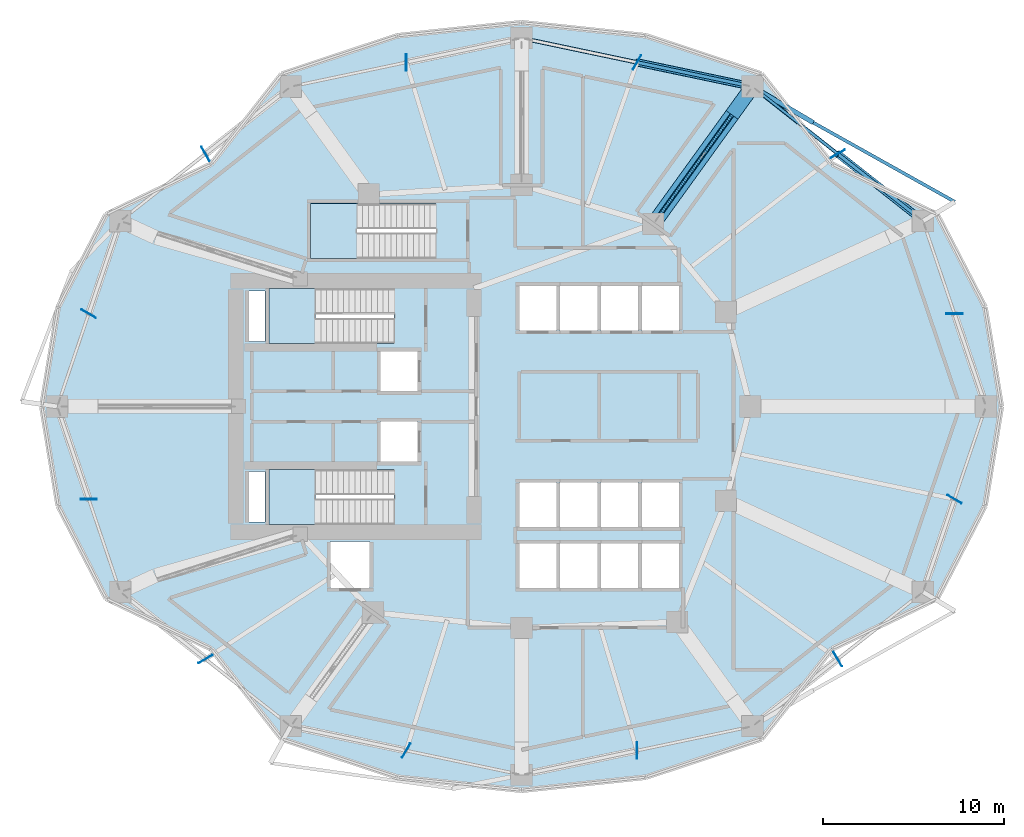
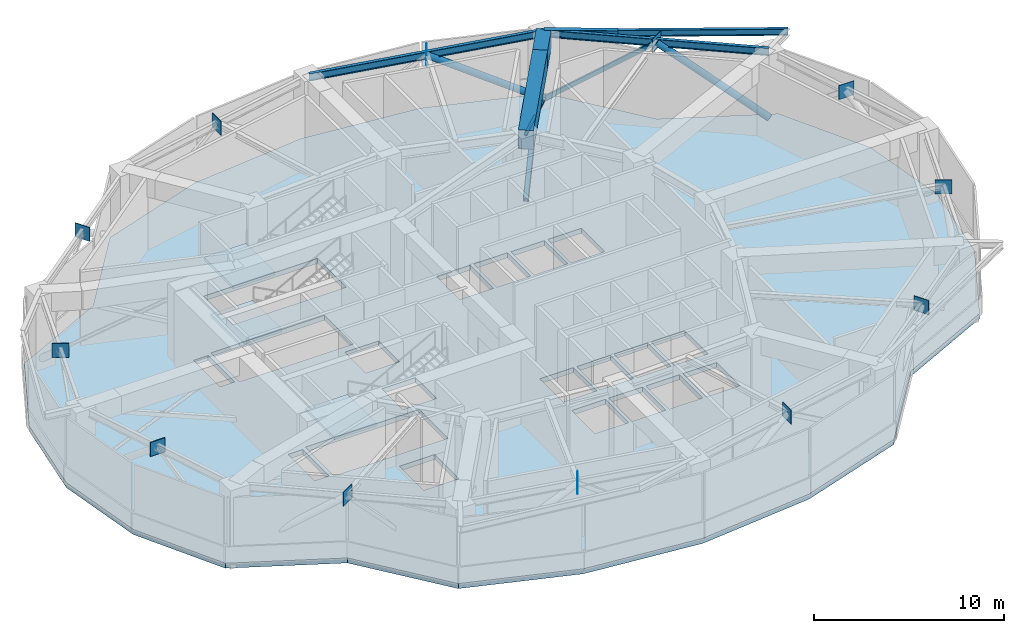
# One storey, part 3 of 12: 12 plates, 6 beams, 6 members, 4 slabs, 3 elements without a shape of their own.
"""IFC4 building model written with IfcOpenShell, lengths in metres."""

from ifc_helpers import new_model, si_unit, direction, frame, origin, origin_2d, place, context, subcontext, project, spatial, polyline, rectangle, hollow_rectangle, hollow_circle, i_section, outline, extrude, material, layer, layer_set, material_profile, profile_set, type_object, element, aggregate, save


model = new_model("IFC4")

# Units and contexts
model_context = context("Model", 3, precision=1e-05, world=origin(), true_north=direction((0.0, 1.0)))
body_context = subcontext(model_context, "Body", "Model", "MODEL_VIEW")
ifc_project = project(units=[si_unit("LENGTHUNIT", "METRE"), si_unit("AREAUNIT", "SQUARE_METRE"), si_unit("VOLUMEUNIT", "CUBIC_METRE"), si_unit("PLANEANGLEUNIT", "RADIAN"), si_unit("MASSUNIT", "GRAM", prefix="KILO")], contexts=[model_context])

# Site, building, storey
site_placement = place(None, origin())
site = spatial("IfcSite", under=ifc_project, at=site_placement, CompositionType="ELEMENT")
building_placement = place(site_placement, origin())
building = spatial("IfcBuilding", under=site, at=building_placement, Name="Kolvaren Gate Tower and Convention Centre", CompositionType="ELEMENT")
storey_placement = place(building_placement, frame((0.0, 0.0, 95.800048828125)))
storey = spatial("IfcBuildingStorey", under=building, at=storey_placement, Name="L23", CompositionType="ELEMENT", Elevation=95.800048828125)

# Beam
ifc_material_1 = material(Name="Structural steel ASTM A992 Grade 345 MPa", Category="steel")
ifc_material_profile_1 = material_profile(ifc_material_1, i_section(OverallWidth=0.260009765625, OverallDepth=0.419921875, WebThickness=0.013427734375, FlangeThickness=0.0224609375, at=origin_2d()), Name="W410X132")
ifc_profile_set_1 = profile_set([ifc_material_profile_1], Name="Structural steel ASTM A992 Grade 345 MPa")
beam_type_1 = type_object("IfcBeamType", Name="STR-BM-W410X132", PredefinedType="BEAM", material=ifc_profile_set_1)
beam_1_placement = place(storey_placement, frame((42.846435546875, 44.627197265625, 4.510498046875), z_axis=(0.860504998591, -0.50944199611, 0.0), x_axis=(0.50944199611, 0.860504998591, 0.0)))
element("IfcBeam", 1, at=beam_1_placement, inside=storey, type_object=beam_type_1, Name="Tower L24 Planted Balcony Outrigger Cantilever BC-1B", PredefinedType="BEAM", context=body_context, shape_type="SweptSolid", body=[
    extrude(i_section(OverallWidth=0.260009765625, OverallDepth=0.419921875, WebThickness=0.013427734375, FlangeThickness=0.0224609375, at=origin_2d()), origin(), (0.0, 0.0, 1.0), 3.89990234375),
])

# Members
ifc_material_2 = material(Name="Structural steel ASTM A500 Grade C 345 MPa", Category="steel")
ifc_material_profile_2 = material_profile(ifc_material_2, hollow_circle(Radius=0.202880859375, WallThickness=0.015869140625, at=origin_2d()), Name="CHS406X15.9")
ifc_profile_set_2 = profile_set([ifc_material_profile_2], Name="Structural steel ASTM A500 Grade C 345 MPa")
member_type_1 = type_object("IfcMemberType", Name="STR-BR-CHS406", PredefinedType="BRACE", material=ifc_profile_set_2)
member_1_placement = place(storey_placement, frame((52.248779296875, 37.218505859375, 0.25), z_axis=(-0.641166549876, 0.505215001105, 0.577635921648), x_axis=(-0.618912646407, -0.785459824636, 0.0)))
element("IfcMember", 2, at=member_1_placement, inside=storey, type_object=member_type_1, Name="Perimeter Belt Truss Diagonal BT-L23-02A", PredefinedType="BRACE", context=body_context, shape_type="SweptSolid", body=[
    extrude(hollow_circle(Radius=0.202880859375, WallThickness=0.015869140625, at=origin_2d()), origin(), (0.0, 0.0, 1.0), 7.332275390625),
])
member_2_placement = place(storey_placement, frame((42.846435546875, 44.627197265625, 0.25), z_axis=(-0.819925538219, 0.172236603618, 0.545945660437), x_axis=(-0.20557695324, -0.978640953719, 0.0)))
element("IfcMember", 3, at=member_2_placement, inside=storey, type_object=member_type_1, Name="Perimeter Belt Truss Diagonal BT-L23-03A", PredefinedType="BRACE", context=body_context, shape_type="SweptSolid", body=[
    extrude(hollow_circle(Radius=0.202880859375, WallThickness=0.015869140625, at=origin_2d()), origin(), (0.0, 0.0, 1.0), 7.7578125),
])
ifc_material_profile_3 = material_profile(ifc_material_2, hollow_rectangle(XDim=0.152099609375, YDim=0.25390625, WallThickness=0.009521484375, at=origin_2d()), Name="HSS254X152X9.5")
ifc_profile_set_3 = profile_set([ifc_material_profile_3], Name="Structural steel ASTM A500 Grade C 345 MPa")
member_type_2 = type_object("IfcMemberType", Name="STR-BR-HSS254X152", PredefinedType="BRACE", material=ifc_profile_set_3)
member_3_placement = place(storey_placement, frame((42.846435546875, 44.627197265625, 0.25), z_axis=(0.641166549876, -0.505215001105, 0.577635921648), x_axis=(0.618912646407, 0.785459824636, 0.0)))
element("IfcMember", 4, at=member_3_placement, inside=storey, type_object=member_type_2, Name="Perimeter Belt Truss Diagonal BT-L23-02B", PredefinedType="BRACE", context=body_context, shape_type="SweptSolid", body=[
    extrude(hollow_rectangle(XDim=0.152099609375, YDim=0.25390625, WallThickness=0.009521484375, at=origin_2d()), origin(), (0.0, 0.0, 1.0), 7.332275390625),
])
ifc_material_profile_4 = material_profile(ifc_material_2, hollow_rectangle(XDim=0.25390625, YDim=0.25390625, WallThickness=0.015869140625, at=origin_2d()), Name="HSS254X254X15.9")
ifc_profile_set_4 = profile_set([ifc_material_profile_4], Name="Structural steel ASTM A500 Grade C 345 MPa")
member_type_3 = type_object("IfcMemberType", Name="STR-BR-HSS254X254", PredefinedType="BRACE", material=ifc_profile_set_4)
member_4_placement = place(storey_placement, frame((37.381591796875, 37.054931640625, 0.25), z_axis=(0.532954070456, 0.738478531507, 0.413048928443), x_axis=(-0.810883240477, 0.585207971848, 0.0)))
element("IfcMember", 5, at=member_4_placement, inside=storey, type_object=member_type_3, Name="Outrigger Truss Diagonal OT-L23-04A", PredefinedType="BRACE", context=body_context, shape_type="SweptSolid", body=[
    extrude(hollow_rectangle(XDim=0.25390625, YDim=0.25390625, WallThickness=0.015869140625, at=origin_2d()), origin(), (0.0, 0.0, 1.0), 10.25390625),
])

# Beams
ifc_material_profile_5 = material_profile(ifc_material_1, i_section(OverallWidth=0.180908203125, OverallDepth=0.4169921875, WebThickness=0.010986328125, FlangeThickness=0.018310546875, at=origin_2d()), Name="W410X85")
ifc_profile_set_5 = profile_set([ifc_material_profile_5], Name="Structural steel ASTM A992 Grade 345 MPa")
beam_type_2 = type_object("IfcBeamType", Name="STR-SP-W410X85", PredefinedType="SPANDREL", material=ifc_profile_set_5)
beam_2_placement = place(storey_placement, frame((54.00048828125, 38.278076171875, 4.511962890625), z_axis=(-0.872726774589, 0.488208948009, 0.0), x_axis=(-0.488208948009, -0.872726774589, 0.0)))
element("IfcBeam", 6, at=beam_2_placement, inside=storey, type_object=beam_type_2, Name="Tower L24 Planted Balcony Header Tie Beam BT-1", PredefinedType="SPANDREL", context=body_context, shape_type="SweptSolid", body=[
    extrude(i_section(OverallWidth=0.180908203125, OverallDepth=0.4169921875, WebThickness=0.010986328125, FlangeThickness=0.018310546875, at=origin_2d()), origin(), (0.0, 0.0, 1.0), 8.935302734375),
])
ifc_material_profile_6 = material_profile(ifc_material_1, i_section(OverallWidth=0.194091796875, OverallDepth=0.468994140625, WebThickness=0.0126953125, FlangeThickness=0.0205078125, at=origin_2d()), Name="W460X106")
ifc_profile_set_6 = profile_set([ifc_material_profile_6], Name="Structural steel ASTM A992 Grade 345 MPa")
beam_type_3 = type_object("IfcBeamType", Name="STR-SP-W460X106", PredefinedType="SPANDREL", material=ifc_profile_set_6)
beam_3_placement = place(storey_placement, frame((52.248779296875, 37.218505859375, 4.4853515625), z_axis=(-0.785459824636, 0.618912646407, 0.0), x_axis=(-0.618912646407, -0.785459824636, 0.0)))
element("IfcBeam", 7, at=beam_3_placement, inside=storey, type_object=beam_type_3, Name="Tower L23 Perimeter Spandrel Beam SP-02", PredefinedType="SPANDREL", context=body_context, shape_type="SweptSolid", body=[
    extrude(i_section(OverallWidth=0.194091796875, OverallDepth=0.468994140625, WebThickness=0.0126953125, FlangeThickness=0.0205078125, at=origin_2d()), origin(), (0.0, 0.0, 1.0), 11.970458984375),
])
beam_4_placement = place(storey_placement, frame((42.846435546875, 44.627197265625, 4.4853515625), z_axis=(-0.978632602148, 0.205616706552, 0.0), x_axis=(-0.205616706552, -0.978632602148, 0.0)))
element("IfcBeam", 8, at=beam_4_placement, inside=storey, type_object=beam_type_3, Name="Tower L23 Perimeter Spandrel Beam SP-03", PredefinedType="SPANDREL", context=body_context, shape_type="SweptSolid", body=[
    extrude(i_section(OverallWidth=0.194091796875, OverallDepth=0.468994140625, WebThickness=0.0126953125, FlangeThickness=0.0205078125, at=origin_2d()), origin(), (0.0, 0.0, 1.0), 12.999267578125),
])

# Members
ifc_material_profile_7 = material_profile(ifc_material_2, hollow_circle(Radius=0.109619140625, WallThickness=0.0126953125, at=origin_2d()), Name="CHS219X12.7")
ifc_profile_set_7 = profile_set([ifc_material_profile_7], Name="Structural steel ASTM A500 Grade C 345 MPa")
member_type_4 = type_object("IfcMemberType", Name="STR-ST-CHS219", PredefinedType="STRUT", material=ifc_profile_set_7)
for number, where, z_axis, x_axis, name in (
    (9, (42.846435546875, 44.627197265625, 0.25), (-0.532954070456, -0.738478531507, 0.413048928443), (0.810883240477, -0.585207971848, 0.0), "Outrigger Truss Lower Counter-Strut OT-L23-04BA"),
    (10, (40.114013671875, 40.841064453125, 2.36767578125), (-0.532954070456, -0.738478531507, 0.413048928443), (0.810883240477, -0.585207971848, 0.0), "Outrigger Truss Upper Counter-Strut OT-L23-04BB"),
):
    element("IfcMember", number, at=place(storey_placement, frame(where, z_axis=z_axis, x_axis=x_axis)), inside=storey, type_object=member_type_4, Name=name, PredefinedType="STRUT", context=body_context, shape_type="SweptSolid", body=[
        extrude(hollow_circle(Radius=0.109619140625, WallThickness=0.0126953125, at=origin_2d()), origin(), (0.0, 0.0, 1.0), 5.126953125),
    ])

# Beams
ifc_material_3 = material(Name="Concrete C70/85", Category="concrete")
ifc_material_profile_8 = material_profile(ifc_material_3, rectangle(XDim=0.800048828125, YDim=1.199951171875, at=origin_2d()), Name="RC-BM-800X1200")
ifc_profile_set_8 = profile_set([ifc_material_profile_8], Name="Concrete C70/85")
beam_type_4 = type_object("IfcBeamType", Name="STR-TG-RC800X1200", PredefinedType="USERDEFINED", material=ifc_profile_set_8)
beam_5_placement = place(storey_placement, frame((37.381591796875, 37.054931640625, 4.120361328125), z_axis=(0.585208050015, 0.810883184064, 0.0), x_axis=(-0.810883184064, 0.585208050015, 0.0)))
element("IfcBeam", 11, at=beam_5_placement, inside=storey, type_object=beam_type_4, Name="Tower L23 Zone-Transition Radial Transfer Girder XFG-03A", ObjectType="TRANSFER GIRDER", PredefinedType="USERDEFINED", context=body_context, shape_type="SweptSolid", body=[
    extrude(rectangle(XDim=0.800048828125, YDim=1.199951171875, at=origin_2d()), origin(), (0.0, 0.0, 1.0), 7.416015625),
])
beam_6_placement = place(storey_placement, frame((41.721435546875, 43.068359375, 4.120361328125), z_axis=(0.585207670307, 0.810883458096, 0.0), x_axis=(-0.810883458096, 0.585207670307, 0.0)))
element("IfcBeam", 12, at=beam_6_placement, inside=storey, type_object=beam_type_4, Name="Tower L23 Zone-Transition Radial Transfer Girder XFG-03B", ObjectType="TRANSFER GIRDER", PredefinedType="USERDEFINED", context=body_context, shape_type="SweptSolid", body=[
    extrude(rectangle(XDim=0.800048828125, YDim=1.199951171875, at=origin_2d()), origin(), (0.0, 0.0, 1.0), 1.92236328125),
])

# Plates
ifc_material_4 = material(Name="Structural steel plate ASTM A572 Grade 345 MPa", Category="steel")
ifc_layer_1 = layer(ifc_material_4, 0.035888671875)
ifc_layer_set_1 = layer_set([ifc_layer_1], Name="Structural steel plate ASTM A572 Grade 345 MPa")
plate_type = type_object("IfcPlateType", Name="STR-PL-GUSSET-36", PredefinedType="USERDEFINED", material=ifc_layer_set_1)
for number, where, z_axis, x_axis, name in (
    (13, (53.980712890625, 32.109375, 4.035400390625), (0.0, 0.0, 1.0), (1.0, 0.0, 0.0), "Belt Truss Concentric Node Gusset Plate GP-L23-01"),
    (14, (47.547607421875, 40.9228515625, 4.035400390625), (0.0, 0.0, 1.0), (0.866025403784, 0.5, 0.0), "Belt Truss Concentric Node Gusset Plate GP-L23-02"),
    (15, (36.485595703125, 45.96337890625, 4.035400390625), (0.0, 0.0, 1.0), (0.5, 0.866025403784, 0.0), "Belt Truss Concentric Node Gusset Plate GP-L23-03"),
    (16, (23.764404296875, 45.96337890625, 4.035400390625), (0.0, 0.0, 1.0), (0.0, 1.0, 0.0), "Belt Truss Concentric Node Gusset Plate GP-L23-04"),
    (17, (12.702392578125, 40.9228515625, 4.035400390625), (0.0, 0.0, 1.0), (-0.5, 0.866025403784, 0.0), "Belt Truss Concentric Node Gusset Plate GP-L23-05"),
    (18, (6.269287109375, 32.109375, 4.035400390625), (0.0, 0.0, 1.0), (-0.866025403784, 0.5, 0.0), "Belt Truss Concentric Node Gusset Plate GP-L23-06"),
    (19, (6.269287109375, 21.890625, 4.035400390625), (0.0, 0.0, 1.0), (-1.0, 0.0, 0.0), "Belt Truss Concentric Node Gusset Plate GP-L23-07"),
    (20, (12.702392578125, 13.0771484375, 4.035400390625), (0.0, 0.0, 1.0), (-0.866025403784, -0.5, 0.0), "Belt Truss Concentric Node Gusset Plate GP-L23-08"),
    (21, (23.764404296875, 8.03662109375, 4.035400390625), (0.0, 0.0, 1.0), (-0.5, -0.866025403784, 0.0), "Belt Truss Concentric Node Gusset Plate GP-L23-09"),
    (22, (36.485595703125, 8.03662109375, 4.035400390625), (0.0, 0.0, 1.0), (0.0, -1.0, 0.0), "Belt Truss Concentric Node Gusset Plate GP-L23-10"),
    (23, (47.547607421875, 13.0771484375, 4.035400390625), (0.0, 0.0, 1.0), (0.5, -0.866025403784, 0.0), "Belt Truss Concentric Node Gusset Plate GP-L23-11"),
    (24, (53.980712890625, 21.890625, 4.035400390625), (0.0, 0.0, 1.0), (0.866025403784, -0.5, 0.0), "Belt Truss Concentric Node Gusset Plate GP-L23-12"),
):
    element("IfcPlate", number, at=place(storey_placement, frame(where, z_axis=z_axis, x_axis=x_axis)), inside=storey, type_object=plate_type, Name=name, ObjectType="GUSSET PLATE", PredefinedType="USERDEFINED", context=body_context, shape_type="SweptSolid", body=[
        extrude(rectangle(XDim=0.89990234375, YDim=0.035888671875, at=origin_2d()), origin(), (0.0, 0.0, 1.0), 0.89990234375),
    ])

# Slab
ifc_material_5 = material(Name="Concrete C50/60", Category="concrete")
ifc_layer_2 = layer(ifc_material_5, 0.320068359375)
ifc_layer_set_2 = layer_set([ifc_layer_2], Name="Concrete C50/60")
slab_type_1 = type_object("IfcSlabType", Name="STR-SL-FLR-320", PredefinedType="FLOOR", material=ifc_layer_set_2)
slab_1_placement = place(storey_placement, frame((0.0, 0.0, -0.320068359375)))
element("IfcSlab", 25, at=slab_1_placement, inside=storey, type_object=slab_type_1, Name="Tower L23 Structural Floor Slab", PredefinedType="FLOOR", context=body_context, shape_type="SweptSolid", body=[
    extrude(outline(polyline([(56.5625, 27.0), (55.66162109375, 32.47412109375), (53.0205078125, 37.574951171875), (47.223876953125, 40.360107421875), (43.34375, 45.31640625), (36.967529296875, 47.42919921875), (30.125, 48.14990234375), (23.282470703125, 47.42919921875), (16.90625, 45.31640625), (13.026123046875, 40.360107421875), (7.2294921875, 37.574951171875), (4.58837890625, 32.47412109375), (3.6875, 27.0), (4.58837890625, 21.52587890625), (7.2294921875, 16.425048828125), (13.026123046875, 13.639892578125), (16.90625, 8.68359375), (23.282470703125, 6.57080078125), (30.125, 5.85009765625), (36.967529296875, 6.57080078125), (43.34375, 8.68359375), (47.223876953125, 13.639892578125), (53.0205078125, 16.425048828125), (55.66162109375, 21.52587890625), (56.5625, 27.0)]), holes=[polyline([(36.75, 33.64990234375), (38.800048828125, 33.64990234375), (38.800048828125, 31.199951171875), (36.75, 31.199951171875), (36.75, 33.64990234375)]), polyline([(36.75, 20.35009765625), (36.75, 22.800048828125), (38.800048828125, 22.800048828125), (38.800048828125, 20.35009765625), (36.75, 20.35009765625)]), polyline([(36.75, 17.0), (36.75, 19.449951171875), (38.800048828125, 19.449951171875), (38.800048828125, 17.0), (36.75, 17.0)]), polyline([(34.5, 33.64990234375), (36.550048828125, 33.64990234375), (36.550048828125, 31.199951171875), (34.5, 31.199951171875), (34.5, 33.64990234375)]), polyline([(34.5, 22.800048828125), (36.550048828125, 22.800048828125), (36.550048828125, 20.35009765625), (34.5, 20.35009765625), (34.5, 22.800048828125)]), polyline([(34.5, 17.0), (34.5, 19.449951171875), (36.550048828125, 19.449951171875), (36.550048828125, 17.0), (34.5, 17.0)]), polyline([(32.25, 31.199951171875), (32.25, 33.64990234375), (34.300048828125, 33.64990234375), (34.300048828125, 31.199951171875), (32.25, 31.199951171875)]), polyline([(32.25, 22.800048828125), (34.300048828125, 22.800048828125), (34.300048828125, 20.35009765625), (32.25, 20.35009765625), (32.25, 22.800048828125)]), polyline([(32.25, 17.0), (32.25, 19.449951171875), (34.300048828125, 19.449951171875), (34.300048828125, 17.0), (32.25, 17.0)]), polyline([(30.0, 31.199951171875), (30.0, 33.64990234375), (32.050048828125, 33.64990234375), (32.050048828125, 31.199951171875), (30.0, 31.199951171875)]), polyline([(30.0, 20.35009765625), (30.0, 22.800048828125), (32.050048828125, 22.800048828125), (32.050048828125, 20.35009765625), (30.0, 20.35009765625)]), polyline([(30.0, 17.0), (30.0, 19.449951171875), (32.050048828125, 19.449951171875), (32.050048828125, 17.0), (30.0, 17.0)]), polyline([(25.39990234375, 35.159912109375), (18.5, 35.159912109375), (18.5, 38.199951171875), (25.39990234375, 38.199951171875), (25.39990234375, 35.159912109375)]), polyline([(22.35009765625, 27.840087890625), (22.35009765625, 30.0400390625), (24.39990234375, 30.0400390625), (24.39990234375, 27.840087890625), (22.35009765625, 27.840087890625)]), polyline([(22.35009765625, 23.9599609375), (22.35009765625, 26.159912109375), (24.39990234375, 26.159912109375), (24.39990234375, 23.9599609375), (22.35009765625, 23.9599609375)]), polyline([(23.10009765625, 30.4599609375), (16.199951171875, 30.4599609375), (16.199951171875, 33.5), (23.10009765625, 33.5), (23.10009765625, 30.4599609375)]), polyline([(23.10009765625, 20.5), (16.199951171875, 20.5), (16.199951171875, 23.5400390625), (23.10009765625, 23.5400390625), (23.10009765625, 20.5)]), polyline([(19.60009765625, 17.0), (19.60009765625, 19.550048828125), (21.75, 19.550048828125), (21.75, 17.0), (19.60009765625, 17.0)]), polyline([(15.080078125, 23.419921875), (15.969970703125, 23.419921875), (15.969970703125, 20.6298828125), (15.080078125, 20.6298828125), (15.080078125, 23.419921875)]), polyline([(15.080078125, 30.580078125), (15.080078125, 33.3701171875), (15.969970703125, 33.3701171875), (15.969970703125, 30.580078125), (15.080078125, 30.580078125)])]), origin(), (0.0, 0.0, 1.0), 0.320068359375),
])

# Stair, slab
stair_type = type_object("IfcStairType", Name="STR-STAIR-CORE", PredefinedType="HALF_TURN_STAIR", material=ifc_material_5)
stair_1_placement = place(storey_placement, origin())
stair_1 = element("IfcStair", 26, at=stair_1_placement, inside=storey, type_object=stair_type, Name="L23 Tower North Exit Stair ST-T1", PredefinedType="HALF_TURN_STAIR")
ifc_layer_3 = layer(ifc_material_5, 0.199951171875)
ifc_layer_set_3 = layer_set([ifc_layer_3], Name="Concrete C50/60")
slab_type_2 = type_object("IfcSlabType", Name="STR-SL-LAND-200", PredefinedType="LANDING", material=ifc_layer_set_3)
slab_2_placement = place(storey_placement, frame((0.0, 0.0, 2.300048828125)))
slab_2 = element("IfcSlab", 27, at=slab_2_placement, type_object=slab_type_2, Name="ST-T1 landing 1", PredefinedType="LANDING", context=body_context, shape_type="SweptSolid", body=[
    extrude(outline(polyline([(18.760009765625, 33.5), (16.199951171875, 33.5), (16.199951171875, 30.4599609375), (18.760009765625, 30.4599609375), (18.760009765625, 33.5)])), origin(), (0.0, 0.0, 1.0), 0.199951171875),
])
aggregate(stair_1, [slab_2])

stair_2_placement = place(storey_placement, origin())
stair_2 = element("IfcStair", 28, at=stair_2_placement, inside=storey, type_object=stair_type, Name="L23 Tower South Exit Stair ST-T2", PredefinedType="HALF_TURN_STAIR")
slab_3_placement = place(storey_placement, frame((0.0, 0.0, 2.300048828125)))
slab_3 = element("IfcSlab", 29, at=slab_3_placement, type_object=slab_type_2, Name="ST-T2 landing 1", PredefinedType="LANDING", context=body_context, shape_type="SweptSolid", body=[
    extrude(outline(polyline([(18.760009765625, 23.5400390625), (16.199951171875, 23.5400390625), (16.199951171875, 20.5), (18.760009765625, 20.5), (18.760009765625, 23.5400390625)])), origin(), (0.0, 0.0, 1.0), 0.199951171875),
])
aggregate(stair_2, [slab_3])

stair_3_placement = place(storey_placement, origin())
stair_3 = element("IfcStair", 30, at=stair_3_placement, inside=storey, type_object=stair_type, Name="L23 Tower Mid-Zone Exit Stair ST-T3", PredefinedType="HALF_TURN_STAIR")
slab_4_placement = place(storey_placement, frame((0.0, 0.0, 2.300048828125)))
slab_4 = element("IfcSlab", 31, at=slab_4_placement, type_object=slab_type_2, Name="ST-T3 landing 1", PredefinedType="LANDING", context=body_context, shape_type="SweptSolid", body=[
    extrude(outline(polyline([(21.06005859375, 38.199951171875), (18.5, 38.199951171875), (18.5, 35.159912109375), (21.06005859375, 35.159912109375), (21.06005859375, 38.199951171875)])), origin(), (0.0, 0.0, 1.0), 0.199951171875),
])
aggregate(stair_3, [slab_4])

save(model, "model.ifc")
